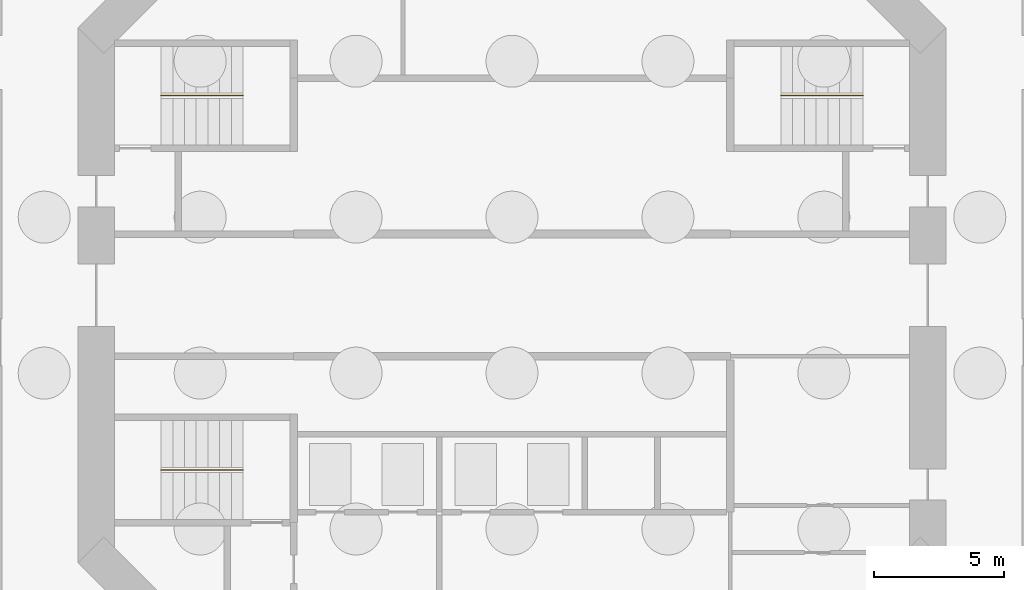
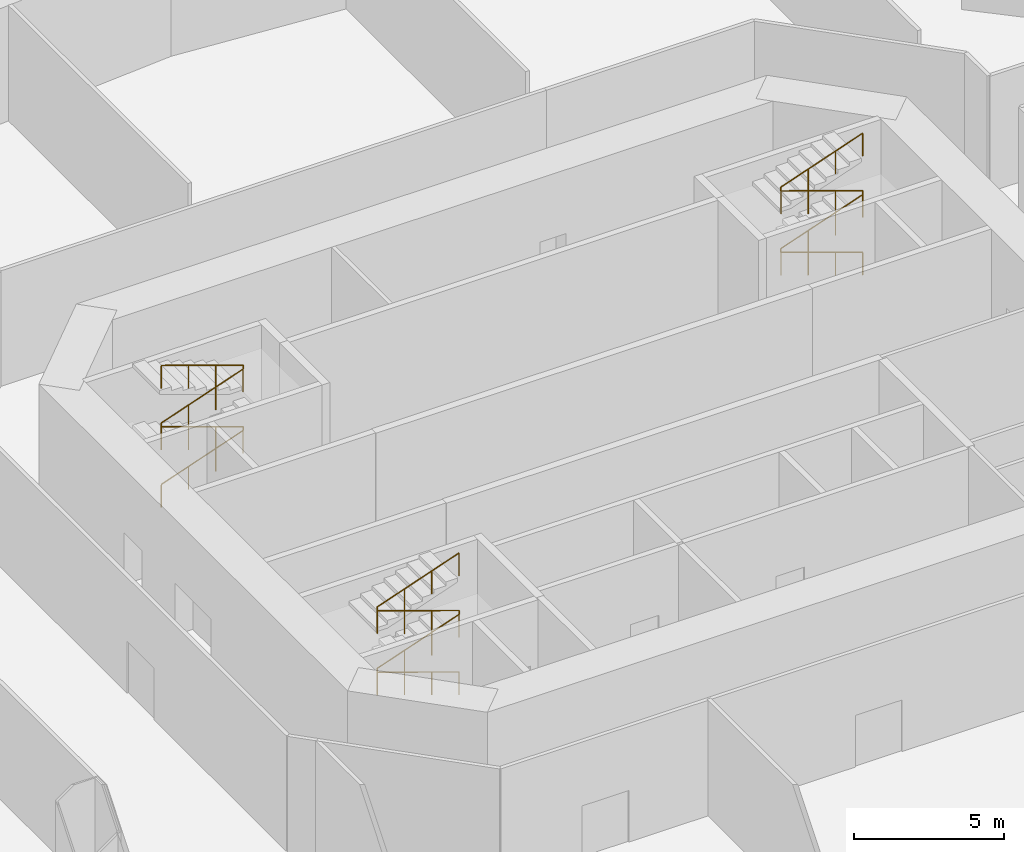
# One storey, part 8 of 9: 3 railings.
"""IFC4 building model written with IfcOpenShell, lengths in metres."""

from ifc_helpers import new_model, si_unit, direction, frame, origin, origin_2d, place, context, subcontext, project, spatial, circle, extrude, material, type_object, element, save


model = new_model("IFC4")

# Units and contexts
model_context = context("Model", 3, precision=1e-05, world=origin(), true_north=direction((0.0, 1.0)))
body_context = subcontext(model_context, "Body", "Model", "MODEL_VIEW")
ifc_project = project(units=[si_unit("LENGTHUNIT", "METRE"), si_unit("AREAUNIT", "SQUARE_METRE"), si_unit("VOLUMEUNIT", "CUBIC_METRE"), si_unit("PLANEANGLEUNIT", "RADIAN"), si_unit("MASSUNIT", "GRAM", prefix="KILO")], contexts=[model_context])

# Site, building, storey
site_placement = place(None, origin())
site = spatial("IfcSite", under=ifc_project, at=site_placement, CompositionType="ELEMENT")
building_placement = place(site_placement, origin())
building = spatial("IfcBuilding", under=site, at=building_placement, Name="Marenthal Gate Tower", CompositionType="ELEMENT")
storey_placement = place(building_placement, frame((0.0, 0.0, -10.0)))
storey = spatial("IfcBuildingStorey", under=building, at=storey_placement, Name="B2", CompositionType="ELEMENT", Elevation=-10.0)

# Railings
ifc_material = material(Name="Stainless steel", Category="steel")
railing_type = type_object("IfcRailingType", Name="Stair handrail", PredefinedType="HANDRAIL", material=ifc_material)
railing_1_placement = place(storey_placement, frame((-13.5, 7.675048828125, 0.15625)))
element("IfcRailing", 1, at=railing_1_placement, inside=storey, type_object=railing_type, Name="Handrail ST1", PredefinedType="HANDRAIL", context=body_context, shape_type="SweptSolid", body=[
    extrude(circle(Radius=0.0224609375, at=origin_2d()), frame((0.0, 0.0, 0.927490234375), z_axis=(0.944670513093, 0.0, 0.328020764118), x_axis=(0.0, 1.0, 0.0)), (0.0, 0.0, 1.0), 3.33447265625),
    extrude(circle(Radius=0.0224609375, at=origin_2d()), frame((3.14990234375, 0.0, 2.021240234375), z_axis=(0.0, 0.0, 1.0), x_axis=(1.0, 0.0, 0.0)), (0.0, 0.0, 1.0), 0.15625),
    extrude(circle(Radius=0.0224609375, at=origin_2d()), frame((3.14990234375, 0.0, 2.177490234375), z_axis=(-0.944670513093, 0.0, 0.328020764118), x_axis=(0.0, -1.0, 0.0)), (0.0, 0.0, 1.0), 3.33447265625),
    extrude(circle(Radius=0.0224609375, at=origin_2d()), frame((0.0, 0.0, 3.271240234375), z_axis=(0.0, 0.0, 1.0), x_axis=(1.0, 0.0, 0.0)), (0.0, 0.0, 1.0), 0.15625),
    extrude(circle(Radius=0.0224609375, at=origin_2d()), frame((0.0, 0.0, 3.427490234375), z_axis=(0.944670513093, 0.0, 0.328020764118), x_axis=(0.0, 1.0, 0.0)), (0.0, 0.0, 1.0), 3.33447265625),
    extrude(circle(Radius=0.0224609375, at=origin_2d()), frame((3.14990234375, 0.0, 4.521240234375), z_axis=(0.0, 0.0, 1.0), x_axis=(1.0, 0.0, 0.0)), (0.0, 0.0, 1.0), 0.15625),
    extrude(circle(Radius=0.0224609375, at=origin_2d()), frame((3.14990234375, 0.0, 4.677490234375), z_axis=(-0.944670513093, 0.0, 0.328020764118), x_axis=(0.0, -1.0, 0.0)), (0.0, 0.0, 1.0), 3.33447265625),
    extrude(circle(Radius=0.02001953125, at=origin_2d()), origin(), (0.0, 0.0, 1.0), 0.905029296875),
    extrude(circle(Radius=0.02001953125, at=origin_2d()), frame((1.050048828125, 0.0, 0.364501953125)), (0.0, 0.0, 1.0), 0.905029296875),
    extrude(circle(Radius=0.02001953125, at=origin_2d()), frame((2.099853515625, 0.0, 0.729248046875)), (0.0, 0.0, 1.0), 0.905029296875),
    extrude(circle(Radius=0.02001953125, at=origin_2d()), frame((3.14990234375, 0.0, 1.09375)), (0.0, 0.0, 1.0), 0.905029296875),
    extrude(circle(Radius=0.02001953125, at=origin_2d()), frame((3.14990234375, 0.0, 1.25)), (0.0, 0.0, 1.0), 0.905029296875),
    extrude(circle(Radius=0.02001953125, at=origin_2d()), frame((2.099853515625, 0.0, 1.614501953125)), (0.0, 0.0, 1.0), 0.905029296875),
    extrude(circle(Radius=0.02001953125, at=origin_2d()), frame((1.050048828125, 0.0, 1.979248046875)), (0.0, 0.0, 1.0), 0.905029296875),
    extrude(circle(Radius=0.02001953125, at=origin_2d()), frame((0.0, 0.0, 2.34375)), (0.0, 0.0, 1.0), 0.905029296875),
    extrude(circle(Radius=0.02001953125, at=origin_2d()), frame((0.0, 0.0, 2.5)), (0.0, 0.0, 1.0), 0.905029296875),
    extrude(circle(Radius=0.02001953125, at=origin_2d()), frame((1.050048828125, 0.0, 2.864501953125)), (0.0, 0.0, 1.0), 0.905029296875),
    extrude(circle(Radius=0.02001953125, at=origin_2d()), frame((2.099853515625, 0.0, 3.229248046875)), (0.0, 0.0, 1.0), 0.905029296875),
    extrude(circle(Radius=0.02001953125, at=origin_2d()), frame((3.14990234375, 0.0, 3.59375)), (0.0, 0.0, 1.0), 0.905029296875),
    extrude(circle(Radius=0.02001953125, at=origin_2d()), frame((3.14990234375, 0.0, 3.75)), (0.0, 0.0, 1.0), 0.905029296875),
    extrude(circle(Radius=0.02001953125, at=origin_2d()), frame((2.099853515625, 0.0, 4.114501953125)), (0.0, 0.0, 1.0), 0.905029296875),
    extrude(circle(Radius=0.02001953125, at=origin_2d()), frame((1.050048828125, 0.0, 4.479248046875)), (0.0, 0.0, 1.0), 0.905029296875),
    extrude(circle(Radius=0.02001953125, at=origin_2d()), frame((0.0, 0.0, 4.84375)), (0.0, 0.0, 1.0), 0.905029296875),
])
railing_2_placement = place(storey_placement, frame((-10.35009765625, -6.72509765625, 0.15625)))
element("IfcRailing", 2, at=railing_2_placement, inside=storey, type_object=railing_type, Name="Handrail ST2", PredefinedType="HANDRAIL", context=body_context, shape_type="SweptSolid", body=[
    extrude(circle(Radius=0.0224609375, at=origin_2d()), frame((0.0, 0.0, 0.927490234375), z_axis=(-0.944670513093, 0.0, 0.328020764118), x_axis=(0.0, -1.0, 0.0)), (0.0, 0.0, 1.0), 3.33447265625),
    extrude(circle(Radius=0.0224609375, at=origin_2d()), frame((-3.14990234375, 0.0, 2.021240234375), z_axis=(0.0, 0.0, 1.0), x_axis=(1.0, 0.0, 0.0)), (0.0, 0.0, 1.0), 0.15625),
    extrude(circle(Radius=0.0224609375, at=origin_2d()), frame((-3.14990234375, 0.0, 2.177490234375), z_axis=(0.944670513093, 0.0, 0.328020764118), x_axis=(0.0, 1.0, 0.0)), (0.0, 0.0, 1.0), 3.33447265625),
    extrude(circle(Radius=0.0224609375, at=origin_2d()), frame((0.0, 0.0, 3.271240234375), z_axis=(0.0, 0.0, 1.0), x_axis=(1.0, 0.0, 0.0)), (0.0, 0.0, 1.0), 0.15625),
    extrude(circle(Radius=0.0224609375, at=origin_2d()), frame((0.0, 0.0, 3.427490234375), z_axis=(-0.944670513093, 0.0, 0.328020764118), x_axis=(0.0, -1.0, 0.0)), (0.0, 0.0, 1.0), 3.33447265625),
    extrude(circle(Radius=0.0224609375, at=origin_2d()), frame((-3.14990234375, 0.0, 4.521240234375), z_axis=(0.0, 0.0, 1.0), x_axis=(1.0, 0.0, 0.0)), (0.0, 0.0, 1.0), 0.15625),
    extrude(circle(Radius=0.0224609375, at=origin_2d()), frame((-3.14990234375, 0.0, 4.677490234375), z_axis=(0.944670513093, 0.0, 0.328020764118), x_axis=(0.0, 1.0, 0.0)), (0.0, 0.0, 1.0), 3.33447265625),
    extrude(circle(Radius=0.02001953125, at=origin_2d()), origin(), (0.0, 0.0, 1.0), 0.905029296875),
    extrude(circle(Radius=0.02001953125, at=origin_2d()), frame((-1.050048828125, 0.0, 0.364501953125)), (0.0, 0.0, 1.0), 0.905029296875),
    extrude(circle(Radius=0.02001953125, at=origin_2d()), frame((-2.099853515625, 0.0, 0.729248046875)), (0.0, 0.0, 1.0), 0.905029296875),
    extrude(circle(Radius=0.02001953125, at=origin_2d()), frame((-3.14990234375, 0.0, 1.09375)), (0.0, 0.0, 1.0), 0.905029296875),
    extrude(circle(Radius=0.02001953125, at=origin_2d()), frame((-3.14990234375, 0.0, 1.25)), (0.0, 0.0, 1.0), 0.905029296875),
    extrude(circle(Radius=0.02001953125, at=origin_2d()), frame((-2.099853515625, 0.0, 1.614501953125)), (0.0, 0.0, 1.0), 0.905029296875),
    extrude(circle(Radius=0.02001953125, at=origin_2d()), frame((-1.050048828125, 0.0, 1.979248046875)), (0.0, 0.0, 1.0), 0.905029296875),
    extrude(circle(Radius=0.02001953125, at=origin_2d()), frame((0.0, 0.0, 2.34375)), (0.0, 0.0, 1.0), 0.905029296875),
    extrude(circle(Radius=0.02001953125, at=origin_2d()), frame((0.0, 0.0, 2.5)), (0.0, 0.0, 1.0), 0.905029296875),
    extrude(circle(Radius=0.02001953125, at=origin_2d()), frame((-1.050048828125, 0.0, 2.864501953125)), (0.0, 0.0, 1.0), 0.905029296875),
    extrude(circle(Radius=0.02001953125, at=origin_2d()), frame((-2.099853515625, 0.0, 3.229248046875)), (0.0, 0.0, 1.0), 0.905029296875),
    extrude(circle(Radius=0.02001953125, at=origin_2d()), frame((-3.14990234375, 0.0, 3.59375)), (0.0, 0.0, 1.0), 0.905029296875),
    extrude(circle(Radius=0.02001953125, at=origin_2d()), frame((-3.14990234375, 0.0, 3.75)), (0.0, 0.0, 1.0), 0.905029296875),
    extrude(circle(Radius=0.02001953125, at=origin_2d()), frame((-2.099853515625, 0.0, 4.114501953125)), (0.0, 0.0, 1.0), 0.905029296875),
    extrude(circle(Radius=0.02001953125, at=origin_2d()), frame((-1.050048828125, 0.0, 4.479248046875)), (0.0, 0.0, 1.0), 0.905029296875),
    extrude(circle(Radius=0.02001953125, at=origin_2d()), frame((0.0, 0.0, 4.84375)), (0.0, 0.0, 1.0), 0.905029296875),
])
railing_3_placement = place(storey_placement, frame((13.5, 7.675048828125, 0.15625)))
element("IfcRailing", 3, at=railing_3_placement, inside=storey, type_object=railing_type, Name="Handrail ST3", PredefinedType="HANDRAIL", context=body_context, shape_type="SweptSolid", body=[
    extrude(circle(Radius=0.0224609375, at=origin_2d()), frame((0.0, 0.0, 0.927490234375), z_axis=(-0.944670513093, 0.0, 0.328020764118), x_axis=(0.0, -1.0, 0.0)), (0.0, 0.0, 1.0), 3.33447265625),
    extrude(circle(Radius=0.0224609375, at=origin_2d()), frame((-3.14990234375, 0.0, 2.021240234375), z_axis=(0.0, 0.0, 1.0), x_axis=(1.0, 0.0, 0.0)), (0.0, 0.0, 1.0), 0.15625),
    extrude(circle(Radius=0.0224609375, at=origin_2d()), frame((-3.14990234375, 0.0, 2.177490234375), z_axis=(0.944670513093, 0.0, 0.328020764118), x_axis=(0.0, 1.0, 0.0)), (0.0, 0.0, 1.0), 3.33447265625),
    extrude(circle(Radius=0.0224609375, at=origin_2d()), frame((0.0, 0.0, 3.271240234375), z_axis=(0.0, 0.0, 1.0), x_axis=(1.0, 0.0, 0.0)), (0.0, 0.0, 1.0), 0.15625),
    extrude(circle(Radius=0.0224609375, at=origin_2d()), frame((0.0, 0.0, 3.427490234375), z_axis=(-0.944670513093, 0.0, 0.328020764118), x_axis=(0.0, -1.0, 0.0)), (0.0, 0.0, 1.0), 3.33447265625),
    extrude(circle(Radius=0.0224609375, at=origin_2d()), frame((-3.14990234375, 0.0, 4.521240234375), z_axis=(0.0, 0.0, 1.0), x_axis=(1.0, 0.0, 0.0)), (0.0, 0.0, 1.0), 0.15625),
    extrude(circle(Radius=0.0224609375, at=origin_2d()), frame((-3.14990234375, 0.0, 4.677490234375), z_axis=(0.944670513093, 0.0, 0.328020764118), x_axis=(0.0, 1.0, 0.0)), (0.0, 0.0, 1.0), 3.33447265625),
    extrude(circle(Radius=0.02001953125, at=origin_2d()), origin(), (0.0, 0.0, 1.0), 0.905029296875),
    extrude(circle(Radius=0.02001953125, at=origin_2d()), frame((-1.050048828125, 0.0, 0.364501953125)), (0.0, 0.0, 1.0), 0.905029296875),
    extrude(circle(Radius=0.02001953125, at=origin_2d()), frame((-2.099853515625, 0.0, 0.729248046875)), (0.0, 0.0, 1.0), 0.905029296875),
    extrude(circle(Radius=0.02001953125, at=origin_2d()), frame((-3.14990234375, 0.0, 1.09375)), (0.0, 0.0, 1.0), 0.905029296875),
    extrude(circle(Radius=0.02001953125, at=origin_2d()), frame((-3.14990234375, 0.0, 1.25)), (0.0, 0.0, 1.0), 0.905029296875),
    extrude(circle(Radius=0.02001953125, at=origin_2d()), frame((-2.099853515625, 0.0, 1.614501953125)), (0.0, 0.0, 1.0), 0.905029296875),
    extrude(circle(Radius=0.02001953125, at=origin_2d()), frame((-1.050048828125, 0.0, 1.979248046875)), (0.0, 0.0, 1.0), 0.905029296875),
    extrude(circle(Radius=0.02001953125, at=origin_2d()), frame((0.0, 0.0, 2.34375)), (0.0, 0.0, 1.0), 0.905029296875),
    extrude(circle(Radius=0.02001953125, at=origin_2d()), frame((0.0, 0.0, 2.5)), (0.0, 0.0, 1.0), 0.905029296875),
    extrude(circle(Radius=0.02001953125, at=origin_2d()), frame((-1.050048828125, 0.0, 2.864501953125)), (0.0, 0.0, 1.0), 0.905029296875),
    extrude(circle(Radius=0.02001953125, at=origin_2d()), frame((-2.099853515625, 0.0, 3.229248046875)), (0.0, 0.0, 1.0), 0.905029296875),
    extrude(circle(Radius=0.02001953125, at=origin_2d()), frame((-3.14990234375, 0.0, 3.59375)), (0.0, 0.0, 1.0), 0.905029296875),
    extrude(circle(Radius=0.02001953125, at=origin_2d()), frame((-3.14990234375, 0.0, 3.75)), (0.0, 0.0, 1.0), 0.905029296875),
    extrude(circle(Radius=0.02001953125, at=origin_2d()), frame((-2.099853515625, 0.0, 4.114501953125)), (0.0, 0.0, 1.0), 0.905029296875),
    extrude(circle(Radius=0.02001953125, at=origin_2d()), frame((-1.050048828125, 0.0, 4.479248046875)), (0.0, 0.0, 1.0), 0.905029296875),
    extrude(circle(Radius=0.02001953125, at=origin_2d()), frame((0.0, 0.0, 4.84375)), (0.0, 0.0, 1.0), 0.905029296875),
])

save(model, "model.ifc")
